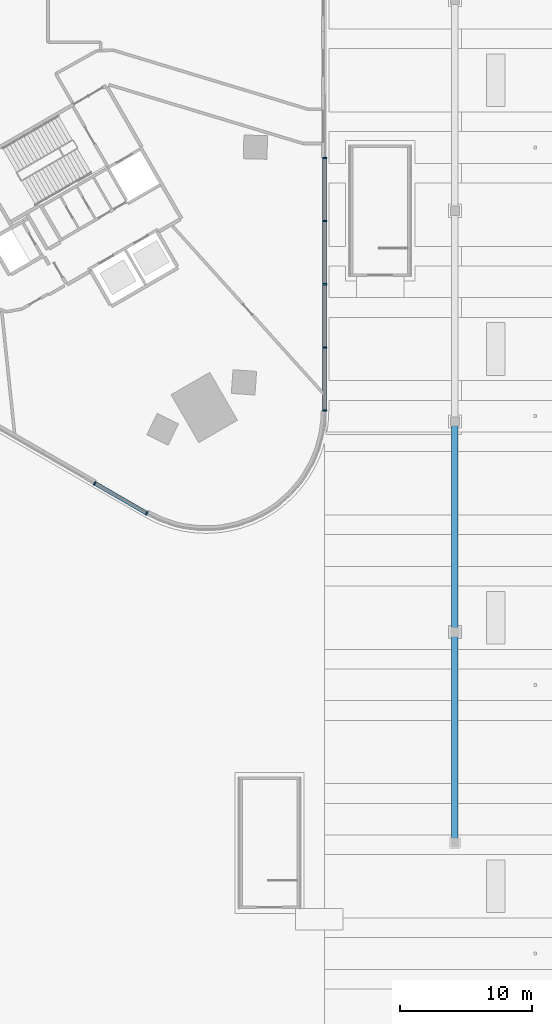
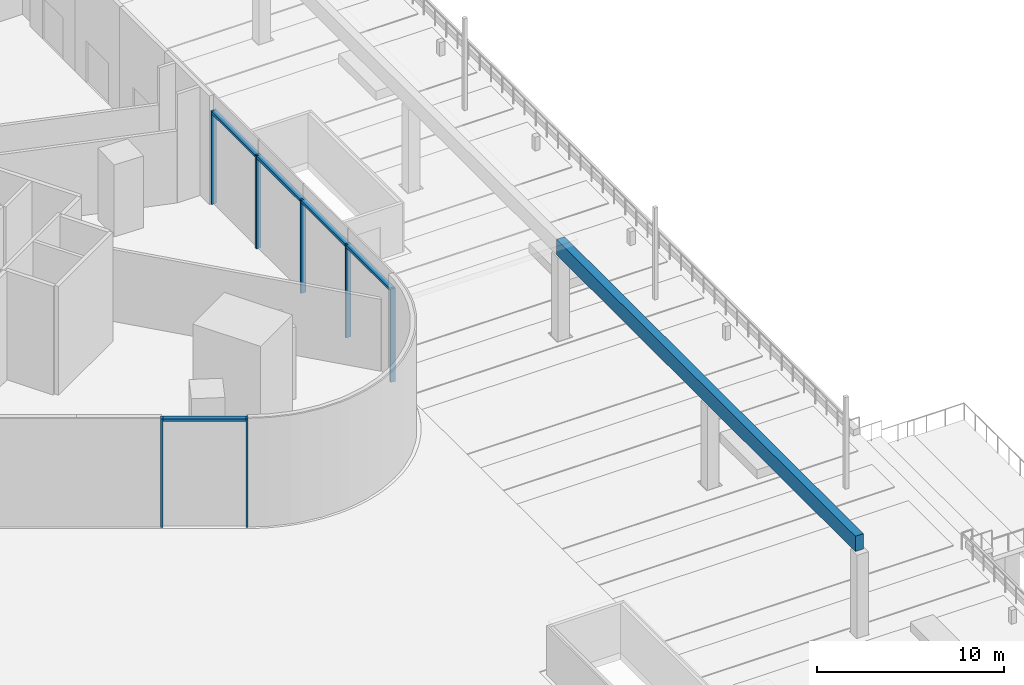
# One storey, part 6 of 41: 10 members, 1 beam, 2 elements without a shape of their own.
"""IFC4 building model written with IfcOpenShell, lengths in metres."""

from ifc_helpers import new_model, si_unit, direction, frame, origin, origin_2d, place, context, subcontext, project, spatial, rectangle, extrude, material, material_profile, profile_set, type_object, element, aggregate, save


model = new_model("IFC4")

# Units and contexts
model_context = context("Model", 3, precision=1e-05, world=origin(), true_north=direction((0.0, 1.0)))
body_context = subcontext(model_context, "Body", "Model", "MODEL_VIEW")
ifc_project = project(units=[si_unit("LENGTHUNIT", "METRE"), si_unit("AREAUNIT", "SQUARE_METRE"), si_unit("VOLUMEUNIT", "CUBIC_METRE"), si_unit("PLANEANGLEUNIT", "RADIAN"), si_unit("MASSUNIT", "GRAM", prefix="KILO")], contexts=[model_context])

# Site, building, storey
site_placement = place(None, origin())
site = spatial("IfcSite", under=ifc_project, at=site_placement, CompositionType="ELEMENT")
building_placement = place(site_placement, origin())
building = spatial("IfcBuilding", under=site, at=building_placement, Name="Tamra Quay Hotel Tower", CompositionType="ELEMENT")
storey_placement = place(building_placement, origin())
storey = spatial("IfcBuildingStorey", under=building, at=storey_placement, Name="L00", CompositionType="ELEMENT", Elevation=0.0)

# Curtain wall, members
ifc_material_1 = material(Name="Aluminium 6063 anodised dark grey", Category="aluminium")
curtain_wall_type = type_object("IfcCurtainWallType", Name="CW4 CURTAIN WALL", PredefinedType="NOTDEFINED", material=ifc_material_1)
curtain_wall_1_placement = place(storey_placement, origin())
curtain_wall_1 = element("IfcCurtainWall", 1, at=curtain_wall_1_placement, inside=storey, type_object=curtain_wall_type, Name="CW4 east face L00", PredefinedType="NOTDEFINED")
ifc_material_profile_1 = material_profile(ifc_material_1, rectangle(XDim=0.300048828125, YDim=0.1201171875, at=origin_2d()), Name="MULLION 120X300")
ifc_profile_set_1 = profile_set([ifc_material_profile_1], Name="Aluminium 6063 anodised dark grey")
member_type_1 = type_object("IfcMemberType", Name="MULLION CW4", PredefinedType="MULLION", material=ifc_profile_set_1)
member_1_placement = place(storey_placement, frame((27.0, -31.177001953125, 0.0), z_axis=(0.0, 0.0, 1.0), x_axis=(0.99986613791, -0.016361731626, 0.0)))
member_1 = element("IfcMember", 2, at=member_1_placement, type_object=member_type_1, Name="CW4 mullion L00.E.5", PredefinedType="MULLION", context=body_context, shape_type="SweptSolid", body=[
    extrude(rectangle(XDim=0.300048828125, YDim=0.1201171875, at=origin_2d()), origin(), (0.0, 0.0, 1.0), 6.10009765625),
])
member_2_placement = place(storey_placement, frame((27.0, -26.38037109375, 0.0), z_axis=(0.0, 0.0, 1.0), x_axis=(1.0, 0.0, 0.0)))
member_2 = element("IfcMember", 3, at=member_2_placement, type_object=member_type_1, Name="CW4 mullion L00.E.6", PredefinedType="MULLION", context=body_context, shape_type="SweptSolid", body=[
    extrude(rectangle(XDim=0.300048828125, YDim=0.1201171875, at=origin_2d()), origin(), (0.0, 0.0, 1.0), 6.10009765625),
])
member_3_placement = place(storey_placement, frame((27.0, -21.583984375, 0.0), z_axis=(0.0, 0.0, 1.0), x_axis=(1.0, 0.0, 0.0)))
member_3 = element("IfcMember", 4, at=member_3_placement, type_object=member_type_1, Name="CW4 mullion L00.E.7", PredefinedType="MULLION", context=body_context, shape_type="SweptSolid", body=[
    extrude(rectangle(XDim=0.300048828125, YDim=0.1201171875, at=origin_2d()), origin(), (0.0, 0.0, 1.0), 6.10009765625),
])
member_4_placement = place(storey_placement, frame((27.0, -16.78759765625, 0.0), z_axis=(0.0, 0.0, 1.0), x_axis=(1.0, 0.0, 0.0)))
member_4 = element("IfcMember", 5, at=member_4_placement, type_object=member_type_1, Name="CW4 mullion L00.E.8", PredefinedType="MULLION", context=body_context, shape_type="SweptSolid", body=[
    extrude(rectangle(XDim=0.300048828125, YDim=0.1201171875, at=origin_2d()), origin(), (0.0, 0.0, 1.0), 6.10009765625),
])
member_5_placement = place(storey_placement, frame((27.0, -11.9912109375, 0.0), z_axis=(0.0, 0.0, 1.0), x_axis=(1.0, 0.0, 0.0)))
member_5 = element("IfcMember", 6, at=member_5_placement, type_object=member_type_1, Name="CW4 mullion L00.E.9", PredefinedType="MULLION", context=body_context, shape_type="SweptSolid", body=[
    extrude(rectangle(XDim=0.300048828125, YDim=0.1201171875, at=origin_2d()), origin(), (0.0, 0.0, 1.0), 6.10009765625),
])

curtain_wall_2_placement = place(storey_placement, origin())
curtain_wall_2 = element("IfcCurtainWall", 7, at=curtain_wall_2_placement, inside=storey, type_object=curtain_wall_type, Name="CW4 south-west face L00", PredefinedType="NOTDEFINED")
member_6_placement = place(storey_placement, frame((9.54541015625, -36.68798828125, 0.0), z_axis=(0.0, 0.0, 1.0), x_axis=(-0.5, -0.866025403784, 0.0)))
member_6 = element("IfcMember", 8, at=member_6_placement, type_object=member_type_1, Name="CW4 mullion L00.SW.4", PredefinedType="MULLION", context=body_context, shape_type="SweptSolid", body=[
    extrude(rectangle(XDim=0.300048828125, YDim=0.1201171875, at=origin_2d()), origin(), (0.0, 0.0, 1.0), 7.10009765625),
])
member_7_placement = place(storey_placement, frame((13.5, -38.97119140625, 0.0), z_axis=(0.0, 0.0, 1.0), x_axis=(-0.471396736826, -0.881921264348, 0.0)))
member_7 = element("IfcMember", 9, at=member_7_placement, type_object=member_type_1, Name="CW4 mullion L00.SW.5", PredefinedType="MULLION", context=body_context, shape_type="SweptSolid", body=[
    extrude(rectangle(XDim=0.300048828125, YDim=0.1201171875, at=origin_2d()), origin(), (0.0, 0.0, 1.0), 7.10009765625),
])

# Beam
ifc_material_2 = material(Name="Concrete M60", Category="concrete")
ifc_material_profile_2 = material_profile(ifc_material_2, rectangle(XDim=0.5, YDim=1.0, at=origin_2d()), Name="Concrete M60")
ifc_profile_set_2 = profile_set([ifc_material_profile_2], Name="Concrete M60")
beam_type = type_object("IfcBeamType", Name="QUAY ENTABLATURE BEAM 500X1000", PredefinedType="BEAM", material=ifc_profile_set_2)
beam_placement = place(storey_placement, frame((36.89990234375, -32.0, 5.89990234375), z_axis=(0.0, -1.0, 0.0), x_axis=(1.0, 0.0, 0.0)))
element("IfcBeam", 10, at=beam_placement, inside=storey, type_object=beam_type, Name="Quay entablature beam south", PredefinedType="BEAM", context=body_context, shape_type="SweptSolid", body=[
    extrude(rectangle(XDim=0.5, YDim=1.0, at=origin_2d()), origin(), (0.0, 0.0, 1.0), 32.0),
])

# Member
ifc_material_profile_3 = material_profile(ifc_material_1, rectangle(XDim=0.300048828125, YDim=0.179931640625, at=origin_2d()), Name="TRANSOM 300X180")
ifc_profile_set_3 = profile_set([ifc_material_profile_3], Name="Aluminium 6063 anodised dark grey")
member_type_2 = type_object("IfcMemberType", Name="TRANSOM CW4", PredefinedType="USERDEFINED", material=ifc_profile_set_3)
member_8_placement = place(storey_placement, frame((27.0, -31.116943359375, 6.010009765625), z_axis=(0.0, 1.0, 0.0), x_axis=(-1.0, 0.0, 0.0)))
member_8 = element("IfcMember", 11, at=member_8_placement, type_object=member_type_2, Name="CW4 transom L00.E.5", ObjectType="TRANSOM", PredefinedType="USERDEFINED", context=body_context, shape_type="SweptSolid", body=[
    extrude(rectangle(XDim=0.300048828125, YDim=0.179931640625, at=origin_2d()), origin(), (0.0, 0.0, 1.0), 14.269287109375),
])

member_9_placement = place(storey_placement, frame((27.0, -16.7275390625, 6.010009765625), z_axis=(0.0, 1.0, 0.0), x_axis=(-1.0, 0.0, 0.0)))
member_9 = element("IfcMember", 12, at=member_9_placement, type_object=member_type_2, Name="CW4 transom L00.E.8", ObjectType="TRANSOM", PredefinedType="USERDEFINED", context=body_context, shape_type="SweptSolid", body=[
    extrude(rectangle(XDim=0.300048828125, YDim=0.179931640625, at=origin_2d()), origin(), (0.0, 0.0, 1.0), 4.676513671875),
])

aggregate(curtain_wall_1, [member_1, member_8, member_2, member_3, member_4, member_9, member_5])

member_10_placement = place(storey_placement, frame((9.597412109375, -36.718017578125, 7.010009765625), z_axis=(0.866024653538, -0.500001299462, 0.0), x_axis=(0.500001299462, 0.866024653538, 0.0)))
member_10 = element("IfcMember", 13, at=member_10_placement, type_object=member_type_2, Name="CW4 transom L00.SW.4", ObjectType="TRANSOM", PredefinedType="USERDEFINED", context=body_context, shape_type="SweptSolid", body=[
    extrude(rectangle(XDim=0.300048828125, YDim=0.179931640625, at=origin_2d()), origin(), (0.0, 0.0, 1.0), 4.4462890625),
])

aggregate(curtain_wall_2, [member_6, member_10, member_7])

save(model, "model.ifc")
